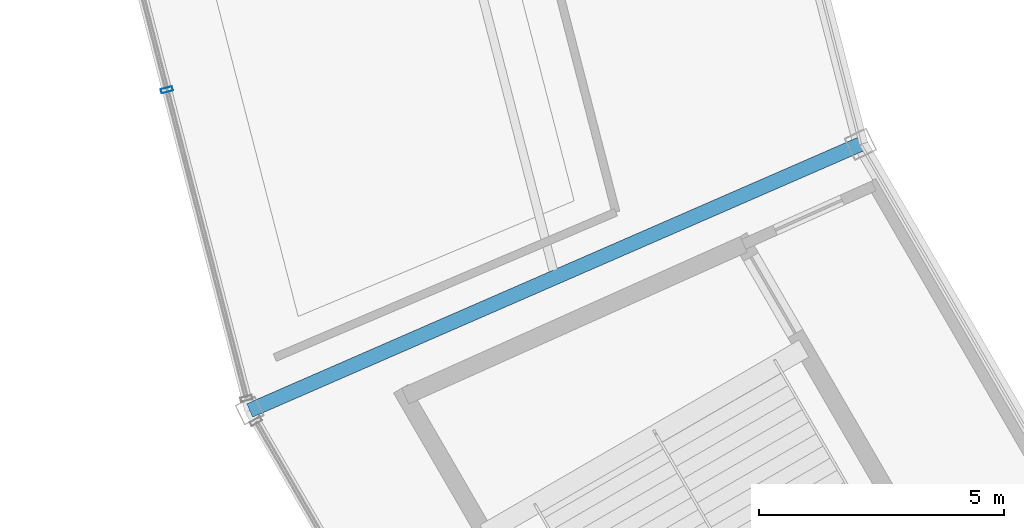
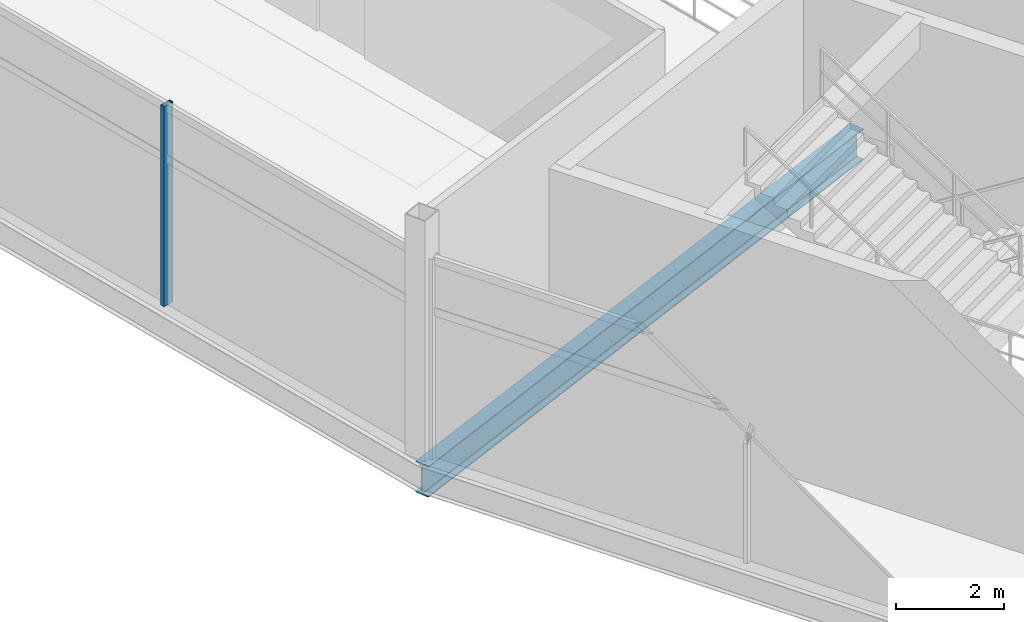
# One storey, part 19 of 103: 1 beam, 1 member, 1 element without a shape of its own.
"""IFC4 building model written with IfcOpenShell, lengths in metres."""

from ifc_helpers import new_model, si_unit, direction, frame, origin, origin_2d, place, context, subcontext, project, spatial, hollow_rectangle, i_section, extrude, material, layer, layer_set, material_profile, profile_set, type_object, element, aggregate, save


model = new_model("IFC4")

# Units and contexts
model_context = context("Model", 3, precision=1e-05, world=origin(), true_north=direction((0.0, 1.0)))
body_context = subcontext(model_context, "Body", "Model", "MODEL_VIEW")
ifc_project = project(units=[si_unit("LENGTHUNIT", "METRE"), si_unit("AREAUNIT", "SQUARE_METRE"), si_unit("VOLUMEUNIT", "CUBIC_METRE"), si_unit("PLANEANGLEUNIT", "RADIAN"), si_unit("MASSUNIT", "GRAM", prefix="KILO")], contexts=[model_context])

# Site, building, storey
site_placement = place(None, origin())
site = spatial("IfcSite", under=ifc_project, at=site_placement, CompositionType="ELEMENT")
building_placement = place(site_placement, origin())
building = spatial("IfcBuilding", under=site, at=building_placement, Name="Kazemori Nagisa Stadium", CompositionType="ELEMENT")
storey_placement = place(building_placement, frame((0.0, 0.0, 25.840087890625)))
storey = spatial("IfcBuildingStorey", under=building, at=storey_placement, Name="L05", CompositionType="ELEMENT", Elevation=25.840087890625)

# Beam
ifc_material_1 = material(Name="Steel SN490B", Category="steel")
ifc_material_profile_1 = material_profile(ifc_material_1, i_section(OverallWidth=0.300048828125, OverallDepth=0.699951171875, WebThickness=0.012939453125, FlangeThickness=0.02392578125, FilletRadius=0.01806640625, at=origin_2d()), Name="H-700x300x13x24")
ifc_profile_set_1 = profile_set([ifc_material_profile_1], Name="Steel SN490B")
beam_type = type_object("IfcBeamType", Name="Beam_BG-H700", PredefinedType="BEAM", material=ifc_profile_set_1)
beam_placement = place(storey_placement, frame((46.55908203125, 68.67529296875, -0.610107421875), z_axis=(-0.916683633521, -0.399613708517, 0.0), x_axis=(0.399613708517, -0.916683633521, 0.0)))
element("IfcBeam", 1, at=beam_placement, inside=storey, type_object=beam_type, Name="Radial girder BG-H700 L05 R2-R3-17", PredefinedType="BEAM", context=body_context, shape_type="SweptSolid", body=[
    extrude(i_section(OverallWidth=0.300048828125, OverallDepth=0.699951171875, WebThickness=0.012939453125, FlangeThickness=0.02392578125, FilletRadius=0.01806640625, at=origin_2d()), origin(), (0.0, 0.0, 1.0), 13.5751953125),
])

# Curtain wall, member
ifc_material_2 = material(Name="Anodised aluminium 6063-T5", Category="aluminium")
ifc_layer = layer(ifc_material_2, 0.239990234375, Name="Anodised aluminium 6063-T5", Category="aluminium")
ifc_layer_set = layer_set([ifc_layer], Name="Anodised aluminium 6063-T5")
curtain_wall_type = type_object("IfcCurtainWallType", Name="CW_L05R3_98", PredefinedType="USERDEFINED", material=ifc_layer_set)
curtain_wall_placement = place(storey_placement, origin())
curtain_wall = element("IfcCurtainWall", 2, at=curtain_wall_placement, inside=storey, type_object=curtain_wall_type, Name="Unitised curtain wall CW-L05R3-98 L05", ObjectType="UNITISED CURTAIN WALL", PredefinedType="USERDEFINED")
ifc_material_3 = material(Name="Aluminium 6063-T5 anodised", Category="aluminium")
ifc_material_profile_2 = material_profile(ifc_material_3, hollow_rectangle(XDim=0.090087890625, YDim=0.239990234375, WallThickness=0.0048828125, at=origin_2d()), Name="ALU-MULL-90x240x5")
ifc_profile_set_2 = profile_set([ifc_material_profile_2], Name="Aluminium 6063-T5 anodised")
member_type = type_object("IfcMemberType", Name="Mullion_M03", PredefinedType="MULLION", material=ifc_profile_set_2)
member_placement = place(storey_placement, frame((32.428466796875, 69.783447265625, 0.0), z_axis=(0.0, 0.0, 1.0), x_axis=(0.249964642418, -0.968254965152, 0.0)))
member = element("IfcMember", 3, at=member_placement, type_object=member_type, Name="Curtain wall mullion CW-L05R3-98-M3", PredefinedType="MULLION", context=body_context, shape_type="SweptSolid", body=[
    extrude(hollow_rectangle(XDim=0.090087890625, YDim=0.239990234375, WallThickness=0.0048828125, at=origin_2d()), origin(), (0.0, 0.0, 1.0), 4.530029296875),
])
aggregate(curtain_wall, [member])

save(model, "model.ifc")
